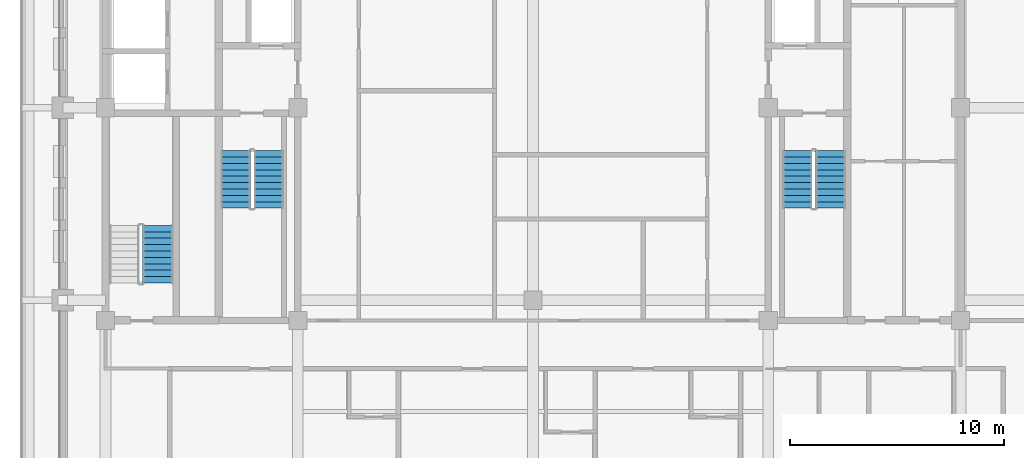
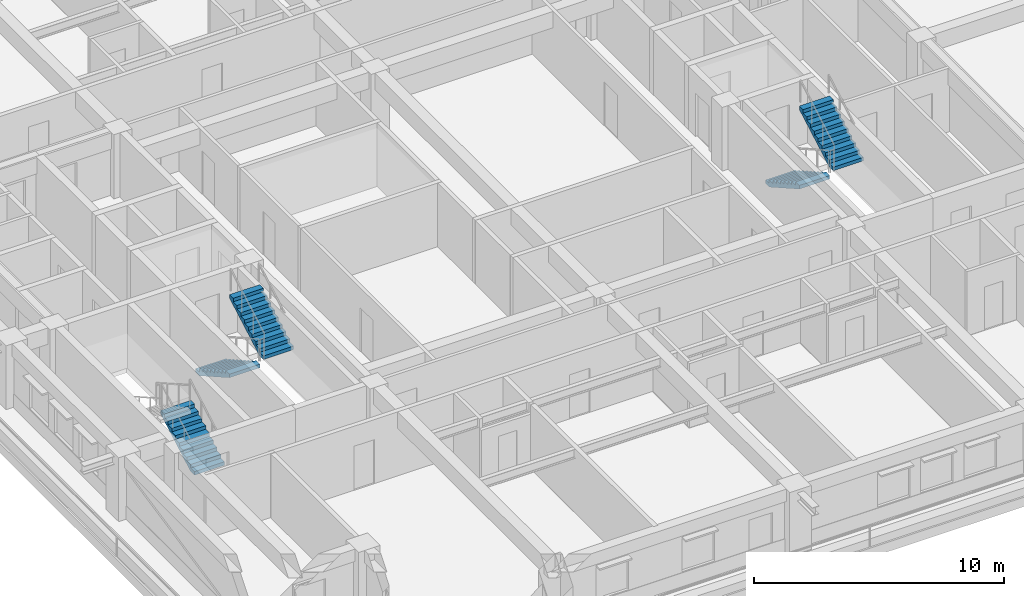
# One storey, part 8 of 15: 5 stair flights, 3 elements without a shape of their own.
"""IFC4 building model written with IfcOpenShell, lengths in metres."""

from ifc_helpers import new_model, si_unit, direction, frame, origin, place, context, subcontext, project, spatial, polyline, outline, extrude, material, layer, layer_set, type_object, element, aggregate, save


model = new_model("IFC4")

# Units and contexts
model_context = context("Model", 3, precision=1e-05, world=origin(), true_north=direction((0.0, 1.0)))
body_context = subcontext(model_context, "Body", "Model", "MODEL_VIEW")
ifc_project = project(units=[si_unit("LENGTHUNIT", "METRE"), si_unit("AREAUNIT", "SQUARE_METRE"), si_unit("VOLUMEUNIT", "CUBIC_METRE"), si_unit("PLANEANGLEUNIT", "RADIAN"), si_unit("MASSUNIT", "GRAM", prefix="KILO")], contexts=[model_context])

# Site, building, storey
site_placement = place(None, origin())
site = spatial("IfcSite", under=ifc_project, at=site_placement, CompositionType="ELEMENT")
building_placement = place(site_placement, origin())
building = spatial("IfcBuilding", under=site, at=building_placement, Name="Zulmaris Gate Convention Tower", CompositionType="ELEMENT")
storey_placement = place(building_placement, frame((0.0, 0.0, 172.85986328125)))
storey = spatial("IfcBuildingStorey", under=building, at=storey_placement, Name="L44", CompositionType="ELEMENT", Elevation=172.85986328125)

# Stair, stair flights
ifc_material = material(Name="Concrete C45/55", Category="concrete")
stair_type = type_object("IfcStairType", Name="ST-CORE-DOGLEG", PredefinedType="HALF_TURN_STAIR", material=ifc_material)
stair_1_placement = place(storey_placement, origin())
stair_1 = element("IfcStair", 1, at=stair_1_placement, inside=storey, type_object=stair_type, Name="L44 Core Exit Stair ST-1", PredefinedType="HALF_TURN_STAIR")
ifc_layer = layer(ifc_material, 0.14990234375, Name="Concrete C45/55")
ifc_layer_set = layer_set([ifc_layer], Name="Concrete C45/55")
stair_flight_type = type_object("IfcStairFlightType", Name="STF-RC150", PredefinedType="STRAIGHT", material=ifc_layer_set)
stair_flight_1_placement = place(storey_placement, frame((-13.919921875, -2.0, 0.0), z_axis=(0.0, 0.0, 1.0), x_axis=(0.0, -1.0, 0.0)))
stair_flight_1 = element("IfcStairFlight", 2, at=stair_flight_1_placement, type_object=stair_flight_type, Name="ST-1 flight 1", NumberOfRisers=10, NumberOfTreads=9, PredefinedType="STRAIGHT", RiserHeight=0.169995, TreadLength=0.3, context=body_context, shape_type="SweptSolid", body=[
    extrude(outline(polyline([(0.0, 0.0), (0.0, 0.169921875), (0.300048828125, 0.169921875), (0.300048828125, 0.340087890625), (0.60009765625, 0.340087890625), (0.60009765625, 0.510009765625), (0.89990234375, 0.510009765625), (0.89990234375, 0.679931640625), (1.199951171875, 0.679931640625), (1.199951171875, 0.849853515625), (1.5, 0.849853515625), (1.5, 1.02001953125), (1.800048828125, 1.02001953125), (1.800048828125, 1.18994140625), (2.10009765625, 1.18994140625), (2.10009765625, 1.35986328125), (2.39990234375, 1.35986328125), (2.39990234375, 1.530029296875), (2.699951171875, 1.530029296875), (2.699951171875, 1.699951171875), (2.699951171875, 1.357666015625), (0.303955078125, 0.0), (0.0, 0.0)])), frame((0.0, 0.699951171875, 0.0), z_axis=(0.0, -1.0, 0.0), x_axis=(1.0, 0.0, 0.0)), (0.0, 0.0, 1.0), 1.39990234375),
])
stair_flight_2_placement = place(storey_placement, frame((-12.360107421875, -4.699951171875, 1.699951171875), z_axis=(0.0, 0.0, 1.0), x_axis=(0.0, 1.0, 0.0)))
stair_flight_2 = element("IfcStairFlight", 3, at=stair_flight_2_placement, type_object=stair_flight_type, Name="ST-1 flight 2", NumberOfRisers=10, NumberOfTreads=9, PredefinedType="STRAIGHT", RiserHeight=0.169995, TreadLength=0.3, context=body_context, shape_type="SweptSolid", body=[
    extrude(outline(polyline([(0.0, 0.0), (0.0, 0.169921875), (0.300048828125, 0.169921875), (0.300048828125, 0.340087890625), (0.60009765625, 0.340087890625), (0.60009765625, 0.510009765625), (0.89990234375, 0.510009765625), (0.89990234375, 0.679931640625), (1.199951171875, 0.679931640625), (1.199951171875, 0.849853515625), (1.5, 0.849853515625), (1.5, 1.02001953125), (1.800048828125, 1.02001953125), (1.800048828125, 1.18994140625), (2.10009765625, 1.18994140625), (2.10009765625, 1.35986328125), (2.39990234375, 1.35986328125), (2.39990234375, 1.530029296875), (2.699951171875, 1.530029296875), (2.699951171875, 1.699951171875), (2.699951171875, 1.357666015625), (0.303955078125, 0.0), (0.0, 0.0)])), frame((0.0, 0.699951171875, 0.0), z_axis=(0.0, -1.0, 0.0), x_axis=(1.0, 0.0, 0.0)), (0.0, 0.0, 1.0), 1.39990234375),
])
aggregate(stair_1, [stair_flight_1, stair_flight_2])

stair_2_placement = place(storey_placement, origin())
stair_2 = element("IfcStair", 4, at=stair_2_placement, inside=storey, type_object=stair_type, Name="L44 Core Exit Stair ST-2", PredefinedType="HALF_TURN_STAIR")
stair_flight_3_placement = place(storey_placement, frame((12.360107421875, -2.0, 0.0), z_axis=(0.0, 0.0, 1.0), x_axis=(0.0, -1.0, 0.0)))
stair_flight_3 = element("IfcStairFlight", 5, at=stair_flight_3_placement, type_object=stair_flight_type, Name="ST-2 flight 1", NumberOfRisers=10, NumberOfTreads=9, PredefinedType="STRAIGHT", RiserHeight=0.169995, TreadLength=0.3, context=body_context, shape_type="SweptSolid", body=[
    extrude(outline(polyline([(0.0, 0.0), (0.0, 0.169921875), (0.300048828125, 0.169921875), (0.300048828125, 0.340087890625), (0.60009765625, 0.340087890625), (0.60009765625, 0.510009765625), (0.89990234375, 0.510009765625), (0.89990234375, 0.679931640625), (1.199951171875, 0.679931640625), (1.199951171875, 0.849853515625), (1.5, 0.849853515625), (1.5, 1.02001953125), (1.800048828125, 1.02001953125), (1.800048828125, 1.18994140625), (2.10009765625, 1.18994140625), (2.10009765625, 1.35986328125), (2.39990234375, 1.35986328125), (2.39990234375, 1.530029296875), (2.699951171875, 1.530029296875), (2.699951171875, 1.699951171875), (2.699951171875, 1.357666015625), (0.303955078125, 0.0), (0.0, 0.0)])), frame((0.0, 0.699951171875, 0.0), z_axis=(0.0, -1.0, 0.0), x_axis=(1.0, 0.0, 0.0)), (0.0, 0.0, 1.0), 1.39990234375),
])
stair_flight_4_placement = place(storey_placement, frame((13.919921875, -4.699951171875, 1.699951171875), z_axis=(0.0, 0.0, 1.0), x_axis=(0.0, 1.0, 0.0)))
stair_flight_4 = element("IfcStairFlight", 6, at=stair_flight_4_placement, type_object=stair_flight_type, Name="ST-2 flight 2", NumberOfRisers=10, NumberOfTreads=9, PredefinedType="STRAIGHT", RiserHeight=0.169995, TreadLength=0.3, context=body_context, shape_type="SweptSolid", body=[
    extrude(outline(polyline([(0.0, 0.0), (0.0, 0.169921875), (0.300048828125, 0.169921875), (0.300048828125, 0.340087890625), (0.60009765625, 0.340087890625), (0.60009765625, 0.510009765625), (0.89990234375, 0.510009765625), (0.89990234375, 0.679931640625), (1.199951171875, 0.679931640625), (1.199951171875, 0.849853515625), (1.5, 0.849853515625), (1.5, 1.02001953125), (1.800048828125, 1.02001953125), (1.800048828125, 1.18994140625), (2.10009765625, 1.18994140625), (2.10009765625, 1.35986328125), (2.39990234375, 1.35986328125), (2.39990234375, 1.530029296875), (2.699951171875, 1.530029296875), (2.699951171875, 1.699951171875), (2.699951171875, 1.357666015625), (0.303955078125, 0.0), (0.0, 0.0)])), frame((0.0, 0.699951171875, 0.0), z_axis=(0.0, -1.0, 0.0), x_axis=(1.0, 0.0, 0.0)), (0.0, 0.0, 1.0), 1.39990234375),
])
aggregate(stair_2, [stair_flight_3, stair_flight_4])

# Stair, stair flight
stair_3_placement = place(storey_placement, origin())
stair_3 = element("IfcStair", 7, at=stair_3_placement, inside=storey, type_object=stair_type, Name="L44 Core Exit Stair ST-3", PredefinedType="HALF_TURN_STAIR")
stair_flight_5_placement = place(storey_placement, frame((-17.56005859375, -8.199951171875, 0.0), z_axis=(0.0, 0.0, 1.0), x_axis=(0.0, 1.0, 0.0)))
stair_flight_5 = element("IfcStairFlight", 8, at=stair_flight_5_placement, type_object=stair_flight_type, Name="ST-3 flight 1", NumberOfRisers=10, NumberOfTreads=9, PredefinedType="STRAIGHT", RiserHeight=0.169995, TreadLength=0.3, context=body_context, shape_type="SweptSolid", body=[
    extrude(outline(polyline([(0.0, 0.0), (0.0, 0.169921875), (0.300048828125, 0.169921875), (0.300048828125, 0.340087890625), (0.60009765625, 0.340087890625), (0.60009765625, 0.510009765625), (0.89990234375, 0.510009765625), (0.89990234375, 0.679931640625), (1.199951171875, 0.679931640625), (1.199951171875, 0.849853515625), (1.5, 0.849853515625), (1.5, 1.02001953125), (1.800048828125, 1.02001953125), (1.800048828125, 1.18994140625), (2.10009765625, 1.18994140625), (2.10009765625, 1.35986328125), (2.39990234375, 1.35986328125), (2.39990234375, 1.530029296875), (2.699951171875, 1.530029296875), (2.699951171875, 1.699951171875), (2.699951171875, 1.357666015625), (0.303955078125, 0.0), (0.0, 0.0)])), frame((0.0, 0.699951171875, 0.0), z_axis=(0.0, -1.0, 0.0), x_axis=(1.0, 0.0, 0.0)), (0.0, 0.0, 1.0), 1.39990234375),
])
aggregate(stair_3, [stair_flight_5])

save(model, "model.ifc")
